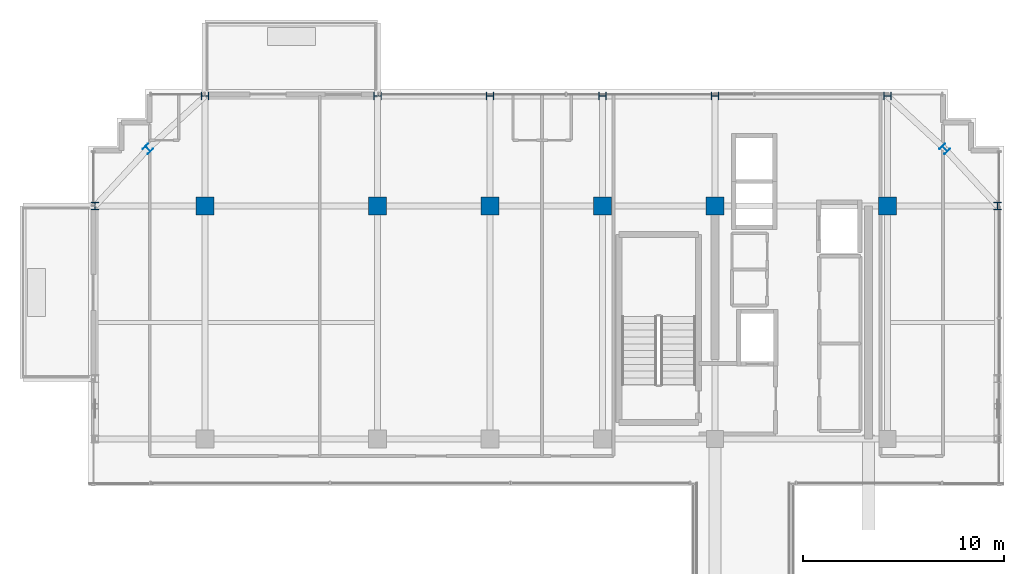
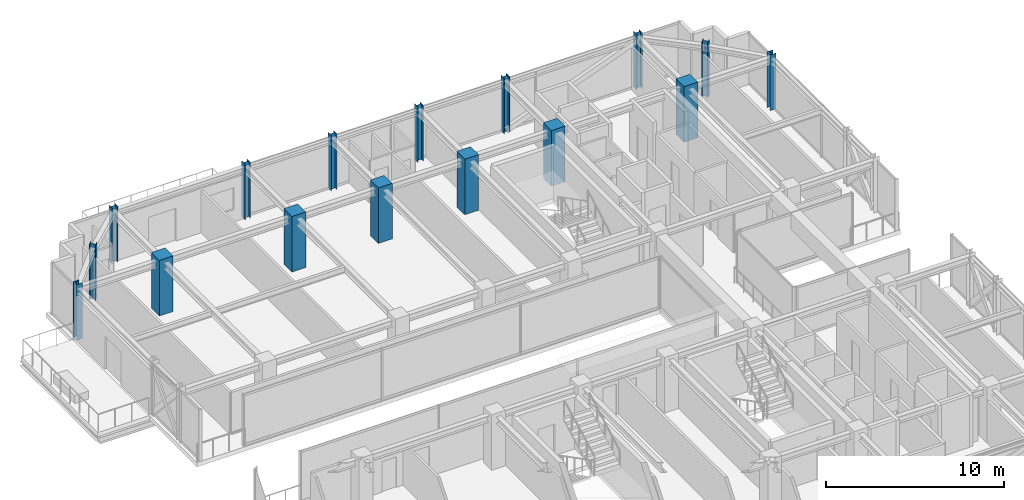
# One storey, part 3 of 40: 16 columns.
"""IFC4 building model written with IfcOpenShell, lengths in metres."""

from ifc_helpers import new_model, si_unit, direction, frame, origin, origin_2d, place, context, subcontext, project, spatial, rectangle, i_section, extrude, source, transform, mapped, material, material_profile, profile_set, type_object, element, save


model = new_model("IFC4")

# Units and contexts
model_context = context("Model", 3, precision=1e-05, world=origin(), true_north=direction((0.0, 1.0)))
body_context = subcontext(model_context, "Body", "Model", "MODEL_VIEW")
ifc_project = project(units=[si_unit("LENGTHUNIT", "METRE"), si_unit("AREAUNIT", "SQUARE_METRE"), si_unit("VOLUMEUNIT", "CUBIC_METRE"), si_unit("PLANEANGLEUNIT", "RADIAN"), si_unit("MASSUNIT", "GRAM", prefix="KILO")], contexts=[model_context])

# Site, building, storey
site_placement = place(None, origin())
site = spatial("IfcSite", under=ifc_project, at=site_placement, CompositionType="ELEMENT")
building_placement = place(site_placement, origin())
building = spatial("IfcBuilding", under=site, at=building_placement, Name="Nahalor Promenade Grand Hotel", CompositionType="ELEMENT")
storey_placement = place(building_placement, frame((0.0, 0.0, 288.800048828125)))
storey = spatial("IfcBuildingStorey", under=building, at=storey_placement, Name="L74", CompositionType="ELEMENT", Elevation=288.800048828125)

# Columns
ifc_material_1 = material(Name="Concrete B-50 (C40/50)", Category="concrete")
ifc_material_profile_1 = material_profile(ifc_material_1, rectangle(XDim=0.9, YDim=0.9, at=origin_2d()), Name="RC 900x900")
ifc_profile_set_1 = profile_set([ifc_material_profile_1], Name="Concrete B-50 (C40/50)")
column_type_1 = type_object("IfcColumnType", Name="Col-RC-900", PredefinedType="COLUMN", material=ifc_profile_set_1)
shared_shape_1 = source(origin(), body_context, "Body", "SweptSolid", [
    extrude(rectangle(XDim=0.9, YDim=0.9, at=origin_2d()), origin(), (0.0, 0.0, 1.0), 3.804931640625),
])
for number, where, z_axis, x_axis, name in (
    (1, (-17.0, 17.0, 0.0), (0.0, 0.0, 1.0), (1.0, 0.0, 0.0), "COL-L74-I03"),
    (2, (-8.39990234375, 17.0, 0.0), (0.0, 0.0, 1.0), (1.0, 0.0, 0.0), "COL-L74-I13"),
    (3, (-2.800048828125, 17.0, 0.0), (0.0, 0.0, 1.0), (1.0, 0.0, 0.0), "COL-L74-I23"),
    (4, (2.800048828125, 17.0, 0.0), (0.0, 0.0, 1.0), (1.0, 0.0, 0.0), "COL-L74-I33"),
    (5, (8.39990234375, 17.0, 0.0), (0.0, 0.0, 1.0), (1.0, 0.0, 0.0), "COL-L74-I43"),
    (6, (17.0, 17.0, 0.0), (0.0, 0.0, 1.0), (1.0, 0.0, 0.0), "COL-L74-I53"),
):
    element("IfcColumn", number, at=place(storey_placement, frame(where, z_axis=z_axis, x_axis=x_axis)), inside=storey, type_object=column_type_1, Name=name, PredefinedType="COLUMN", context=body_context, shape_type="MappedRepresentation", body=[
        mapped(shared_shape_1, transform((0.0, 0.0, 0.0), scale=1.0)),
    ])
ifc_material_2 = material(Name="Steel S355JR", Category="steel")
ifc_material_profile_2 = material_profile(ifc_material_2, i_section(OverallWidth=0.374, OverallDepth=0.374, WebThickness=0.0144, FlangeThickness=0.0229, at=origin_2d()), Name="HD 360x262")
ifc_profile_set_2 = profile_set([ifc_material_profile_2], Name="Steel S355JR")
column_type_2 = type_object("IfcColumnType", Name="Col-Steel-HD262", PredefinedType="COLUMN", material=ifc_profile_set_2)
shared_shape_2 = source(origin(), body_context, "Body", "SweptSolid", [
    extrude(i_section(OverallWidth=0.374, OverallDepth=0.374, WebThickness=0.0144, FlangeThickness=0.0229, at=origin_2d()), origin(), (0.0, 0.0, 1.0), 3.804931640625),
])
for number, where, z_axis, x_axis, name in (
    (7, (-22.47998046875, 17.0, 0.0), (0.0, 0.0, 1.0), (1.0, 0.0, 0.0), "COL-L74-PW-W5"),
    (8, (22.47998046875, 17.0, 0.0), (0.0, 0.0, 1.0), (1.0, 0.0, 0.0), "COL-L74-PW-E5"),
    (9, (-17.0, 22.47998046875, 0.0), (0.0, 0.0, 1.0), (0.0, 1.0, 0.0), "COL-L74-PN-N0"),
    (10, (-8.39990234375, 22.47998046875, 0.0), (0.0, 0.0, 1.0), (0.0, 1.0, 0.0), "COL-L74-PN-N1"),
    (11, (-2.800048828125, 22.47998046875, 0.0), (0.0, 0.0, 1.0), (0.0, 1.0, 0.0), "COL-L74-PN-N2"),
    (12, (2.800048828125, 22.47998046875, 0.0), (0.0, 0.0, 1.0), (0.0, 1.0, 0.0), "COL-L74-PN-N3"),
    (13, (8.39990234375, 22.47998046875, 0.0), (0.0, 0.0, 1.0), (0.0, 1.0, 0.0), "COL-L74-PN-N4"),
    (14, (17.0, 22.47998046875, 0.0), (0.0, 0.0, 1.0), (0.0, 1.0, 0.0), "COL-L74-PN-N5"),
    (15, (-19.85009765625, 19.85009765625, 0.0), (0.0, 0.0, 1.0), (0.707106781187, 0.707106781187, 0.0), "COL-L74-CRN-NW"),
    (16, (19.85009765625, 19.85009765625, 0.0), (0.0, 0.0, 1.0), (0.707106781187, 0.707106781187, 0.0), "COL-L74-CRN-NE"),
):
    element("IfcColumn", number, at=place(storey_placement, frame(where, z_axis=z_axis, x_axis=x_axis)), inside=storey, type_object=column_type_2, Name=name, PredefinedType="COLUMN", context=body_context, shape_type="MappedRepresentation", body=[
        mapped(shared_shape_2, transform((0.0, 0.0, 0.0), scale=1.0)),
    ])

save(model, "model.ifc")
